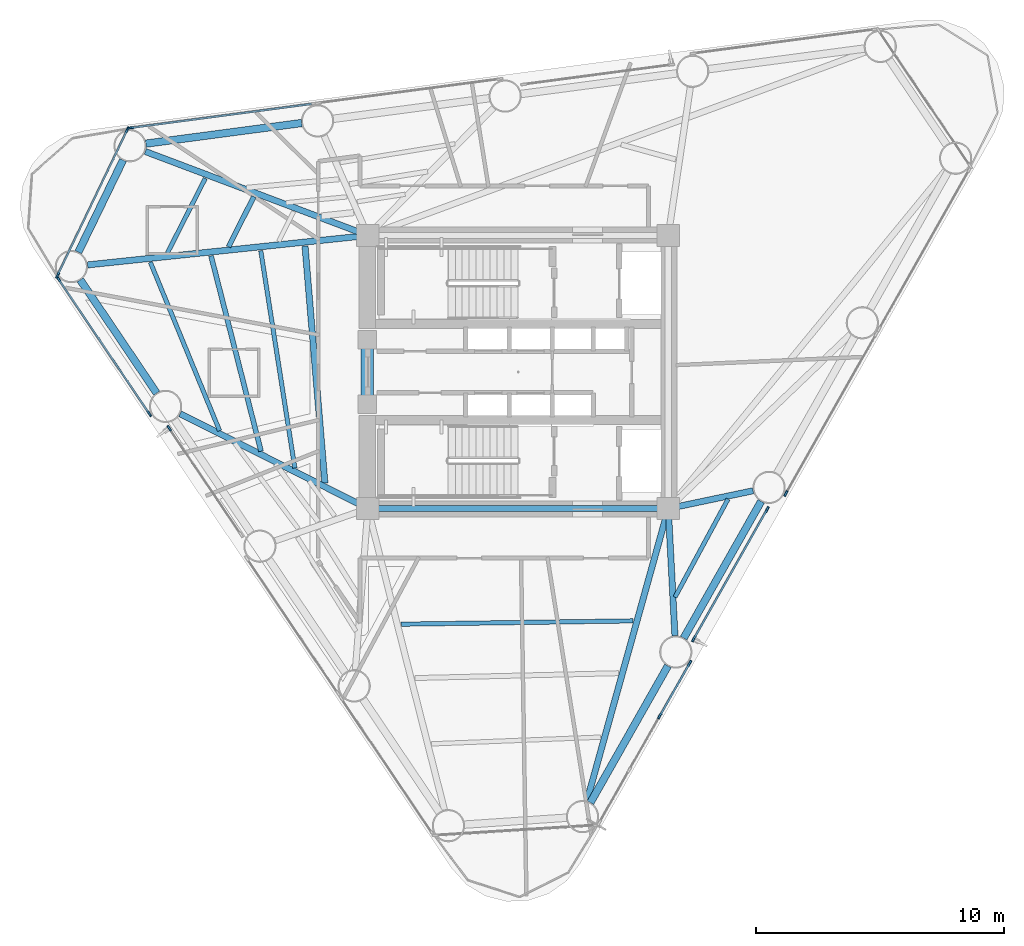
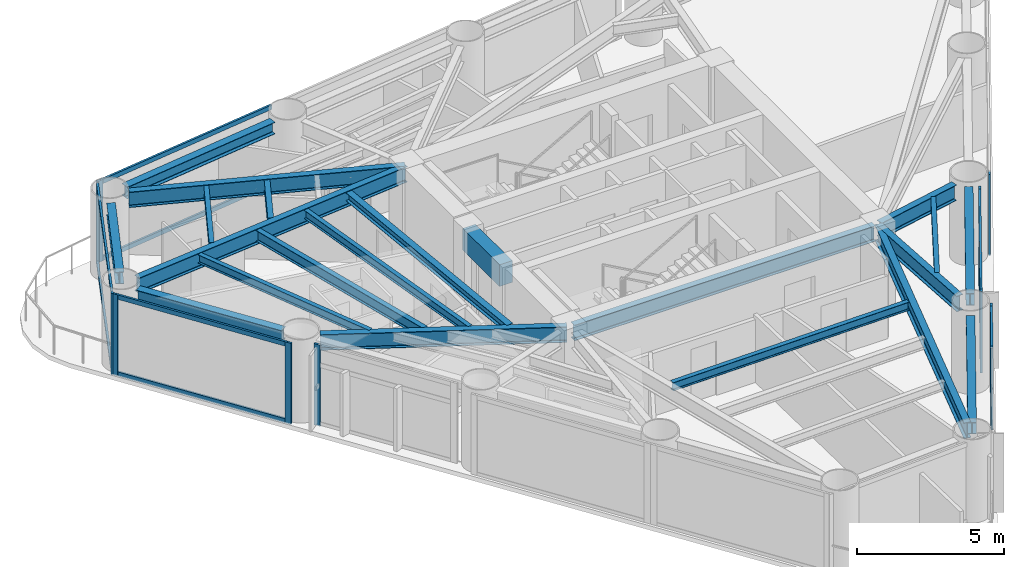
# One storey, part 2 of 10: 23 members, 21 beams, 7 elements without a shape of their own.
"""IFC4 building model written with IfcOpenShell, lengths in metres."""

from ifc_helpers import new_model, si_unit, direction, frame, origin, origin_2d, place, context, subcontext, project, spatial, rectangle, i_section, extrude, source, transform, mapped, material, layer, layer_set, material_profile, profile_set, type_object, element, aggregate, save


model = new_model("IFC4")

# Units and contexts
model_context = context("Model", 3, precision=1e-05, world=origin(), true_north=direction((0.0, 1.0)))
body_context = subcontext(model_context, "Body", "Model", "MODEL_VIEW")
ifc_project = project(units=[si_unit("LENGTHUNIT", "METRE"), si_unit("AREAUNIT", "SQUARE_METRE"), si_unit("VOLUMEUNIT", "CUBIC_METRE"), si_unit("PLANEANGLEUNIT", "RADIAN"), si_unit("MASSUNIT", "GRAM", prefix="KILO")], contexts=[model_context])

# Site, building, storey
site_placement = place(None, origin())
site = spatial("IfcSite", under=ifc_project, at=site_placement, CompositionType="ELEMENT")
building_placement = place(site_placement, origin())
building = spatial("IfcBuilding", under=site, at=building_placement, Name="Yunling Apex Tower", CompositionType="ELEMENT")
storey_placement = place(building_placement, frame((0.0, 0.0, 158.75)))
storey = spatial("IfcBuildingStorey", under=building, at=storey_placement, Name="L38", CompositionType="ELEMENT", Elevation=158.75)

# Beams
ifc_material_1 = material(Name="Concrete C50", Category="concrete")
ifc_material_profile_1 = material_profile(ifc_material_1, rectangle(XDim=0.5, YDim=0.89990234375, at=origin_2d()))
ifc_profile_set_1 = profile_set([ifc_material_profile_1], Name="Concrete C50")
beam_type_1 = type_object("IfcBeamType", Name="BC-CPL-2", PredefinedType="BEAM", material=ifc_profile_set_1)
shared_shape_1 = source(origin(), body_context, "Body", "SweptSolid", [
    extrude(rectangle(XDim=0.5, YDim=0.89990234375, at=origin_2d()), origin(), (0.0, 0.0, 1.0), 2.5),
])
beam_1_placement = place(storey_placement, frame((-6.074951171875, -1.25, 2.820068359375), z_axis=(0.0, 1.0, 0.0), x_axis=(-1.0, 0.0, 0.0)))
element("IfcBeam", 1, at=beam_1_placement, inside=storey, type_object=beam_type_1, Name="L38 Core West Portal Coupling Beam", PredefinedType="BEAM", context=body_context, shape_type="MappedRepresentation", body=[
    mapped(shared_shape_1, transform((0.0, 0.0, 0.0), scale=1.0)),
])
ifc_material_2 = material(Name="Steel Q355B", Category="steel")
ifc_material_profile_2 = material_profile(ifc_material_2, i_section(OverallWidth=0.25, OverallDepth=0.64990234375, WebThickness=0.011962890625, FlangeThickness=0.02001953125, FilletRadius=0.02392578125, at=origin_2d()))
ifc_profile_set_2 = profile_set([ifc_material_profile_2], Name="Steel Q355B")
beam_type_2 = type_object("IfcBeamType", Name="BG-PRI-4", PredefinedType="USERDEFINED", material=ifc_profile_set_2)
shared_shape_2 = source(origin(), body_context, "Body", "SweptSolid", [
    extrude(i_section(OverallWidth=0.25, OverallDepth=0.64990234375, WebThickness=0.011962890625, FlangeThickness=0.02001953125, FilletRadius=0.02392578125, at=origin_2d()), origin(), (0.0, 0.0, 1.0), 11.7998046875),
])
beam_2_placement = place(storey_placement, frame((-5.89990234375, -5.5, 2.945068359375), z_axis=(1.0, 0.0, 0.0), x_axis=(0.0, 1.0, 0.0)))
element("IfcBeam", 2, at=beam_2_placement, inside=storey, type_object=beam_type_2, Name="L38 Core Ring Tie Beam 1", ObjectType="GIRDER", PredefinedType="USERDEFINED", context=body_context, shape_type="MappedRepresentation", body=[
    mapped(shared_shape_2, transform((0.0, 0.0, 0.0), scale=1.0)),
])
ifc_material_profile_3 = material_profile(ifc_material_2, i_section(OverallWidth=0.300048828125, OverallDepth=0.489990234375, WebThickness=0.010986328125, FlangeThickness=0.01806640625, FilletRadius=0.02197265625, at=origin_2d()))
ifc_profile_set_3 = profile_set([ifc_material_profile_3], Name="Steel Q355B")
beam_type_3 = type_object("IfcBeamType", Name="BP-SPN-2", PredefinedType="SPANDREL", material=ifc_profile_set_3)
shared_shape_3 = source(origin(), body_context, "Body", "SweptSolid", [
    extrude(i_section(OverallWidth=0.300048828125, OverallDepth=0.489990234375, WebThickness=0.010986328125, FlangeThickness=0.01806640625, FilletRadius=0.02197265625, at=origin_2d()), origin(), (0.0, 0.0, 1.0), 6.332763671875),
])
beam_3_placement = place(storey_placement, frame((2.912109375, -17.34765625, 3.02490234375), z_axis=(0.493042725972, 0.870005097897, 0.0), x_axis=(-0.870005097897, 0.493042725972, 0.0)))
element("IfcBeam", 3, at=beam_3_placement, inside=storey, type_object=beam_type_3, Name="L38 Perimeter Spandrel Beam 1", PredefinedType="SPANDREL", context=body_context, shape_type="MappedRepresentation", body=[
    mapped(shared_shape_3, transform((0.0, 0.0, 0.0), scale=1.0)),
])
shared_shape_4 = source(origin(), body_context, "Body", "SweptSolid", [
    extrude(i_section(OverallWidth=0.300048828125, OverallDepth=0.489990234375, WebThickness=0.010986328125, FlangeThickness=0.01806640625, FilletRadius=0.02197265625, at=origin_2d()), origin(), (0.0, 0.0, 1.0), 6.33251953125),
])
for number, where, z_axis, x_axis, name in (
    (4, (6.66943359375, -10.717529296875, 3.02490234375), (0.493030081742, 0.870012263418, 0.0), (-0.870012263418, 0.493030081742, 0.0), "L38 Perimeter Spandrel Beam 2"),
    (5, (-8.715576171875, 10.02978515625, 3.02490234375), (-0.991351373324, -0.131234349957, 0.0), (0.131234349957, -0.991351373324, 0.0), "L38 Perimeter Spandrel Beam 9"),
):
    element("IfcBeam", number, at=place(storey_placement, frame(where, z_axis=z_axis, x_axis=x_axis)), inside=storey, type_object=beam_type_3, Name=name, PredefinedType="SPANDREL", context=body_context, shape_type="MappedRepresentation", body=[
        mapped(shared_shape_4, transform((0.0, 0.0, 0.0), scale=1.0)),
    ])
shared_shape_5 = source(origin(), body_context, "Body", "SweptSolid", [
    extrude(i_section(OverallWidth=0.300048828125, OverallDepth=0.489990234375, WebThickness=0.010986328125, FlangeThickness=0.01806640625, FilletRadius=0.02197265625, at=origin_2d()), origin(), (0.0, 0.0, 1.0), 4.1240234375),
])
beam_4_placement = place(storey_placement, frame((-15.9130859375, 8.534912109375, 3.02490234375), z_axis=(-0.436645295051, -0.899633751206, 0.0), x_axis=(0.899633751206, -0.436645295051, 0.0)))
element("IfcBeam", 6, at=beam_4_placement, inside=storey, type_object=beam_type_3, Name="L38 Perimeter Spandrel Beam 10", PredefinedType="SPANDREL", context=body_context, shape_type="MappedRepresentation", body=[
    mapped(shared_shape_5, transform((0.0, 0.0, 0.0), scale=1.0)),
])
shared_shape_6 = source(origin(), body_context, "Body", "SweptSolid", [
    extrude(i_section(OverallWidth=0.300048828125, OverallDepth=0.489990234375, WebThickness=0.010986328125, FlangeThickness=0.01806640625, FilletRadius=0.02197265625, at=origin_2d()), origin(), (0.0, 0.0, 1.0), 5.5029296875),
])
beam_5_placement = place(storey_placement, frame((-17.635009765625, 3.711181640625, 3.02490234375), z_axis=(0.559227477119, -0.829014251286, 0.0), x_axis=(0.829014251286, 0.559227477119, 0.0)))
element("IfcBeam", 7, at=beam_5_placement, inside=storey, type_object=beam_type_3, Name="L38 Perimeter Spandrel Beam 11", PredefinedType="SPANDREL", context=body_context, shape_type="MappedRepresentation", body=[
    mapped(shared_shape_6, transform((0.0, 0.0, 0.0), scale=1.0)),
])
shared_shape_7 = source(origin(), body_context, "Body", "SweptSolid", [
    extrude(i_section(OverallWidth=0.25, OverallDepth=0.64990234375, WebThickness=0.011962890625, FlangeThickness=0.02001953125, FilletRadius=0.02392578125, at=origin_2d()), origin(), (0.0, 0.0, 1.0), 12.141845703125),
])
beam_6_placement = place(storey_placement, frame((2.771240234375, -17.27392578125, 2.945068359375), z_axis=(0.268272262363, 0.9633431337, 0.0), x_axis=(-0.9633431337, 0.268272262363, 0.0)))
element("IfcBeam", 8, at=beam_6_placement, inside=storey, type_object=beam_type_2, Name="L38 Radial Primary Girder R01", ObjectType="GIRDER", PredefinedType="USERDEFINED", context=body_context, shape_type="MappedRepresentation", body=[
    mapped(shared_shape_7, transform((0.0, 0.0, 0.0), scale=1.0)),
])
shared_shape_8 = source(origin(), body_context, "Body", "SweptSolid", [
    extrude(i_section(OverallWidth=0.25, OverallDepth=0.64990234375, WebThickness=0.011962890625, FlangeThickness=0.02001953125, FilletRadius=0.02392578125, at=origin_2d()), origin(), (0.0, 0.0, 1.0), 5.0478515625),
])
beam_7_placement = place(storey_placement, frame((6.317626953125, -10.620849609375, 2.945068359375), z_axis=(-0.052185671931, 0.998637399482, 0.0), x_axis=(-0.998637399482, -0.052185671931, 0.0)))
element("IfcBeam", 9, at=beam_7_placement, inside=storey, type_object=beam_type_2, Name="L38 Radial Primary Girder R02", ObjectType="GIRDER", PredefinedType="USERDEFINED", context=body_context, shape_type="MappedRepresentation", body=[
    mapped(shared_shape_8, transform((0.0, 0.0, 0.0), scale=1.0)),
])
shared_shape_9 = source(origin(), body_context, "Body", "SweptSolid", [
    extrude(i_section(OverallWidth=0.25, OverallDepth=0.64990234375, WebThickness=0.011962890625, FlangeThickness=0.02001953125, FilletRadius=0.02392578125, at=origin_2d()), origin(), (0.0, 0.0, 1.0), 3.409423828125),
])
beam_8_placement = place(storey_placement, frame((9.465087890625, -4.783203125, 2.945068359375), z_axis=(-0.978668904593, -0.205443849219, 0.0), x_axis=(0.205443849219, -0.978668904593, 0.0)))
element("IfcBeam", 10, at=beam_8_placement, inside=storey, type_object=beam_type_2, Name="L38 Radial Primary Girder R03", ObjectType="GIRDER", PredefinedType="USERDEFINED", context=body_context, shape_type="MappedRepresentation", body=[
    mapped(shared_shape_9, transform((0.0, 0.0, 0.0), scale=1.0)),
])
shared_shape_10 = source(origin(), body_context, "Body", "SweptSolid", [
    extrude(i_section(OverallWidth=0.25, OverallDepth=0.64990234375, WebThickness=0.011962890625, FlangeThickness=0.02001953125, FilletRadius=0.02392578125, at=origin_2d()), origin(), (0.0, 0.0, 1.0), 9.502685546875),
])
beam_9_placement = place(storey_placement, frame((-15.01611328125, 8.882080078125, 2.945068359375), z_axis=(0.935649587533, -0.352930374648, 0.0), x_axis=(0.352930374648, 0.935649587533, 0.0)))
element("IfcBeam", 11, at=beam_9_placement, inside=storey, type_object=beam_type_2, Name="L38 Radial Primary Girder R10", ObjectType="GIRDER", PredefinedType="USERDEFINED", context=body_context, shape_type="MappedRepresentation", body=[
    mapped(shared_shape_10, transform((0.0, 0.0, 0.0), scale=1.0)),
])
shared_shape_11 = source(origin(), body_context, "Body", "SweptSolid", [
    extrude(i_section(OverallWidth=0.25, OverallDepth=0.64990234375, WebThickness=0.011962890625, FlangeThickness=0.02001953125, FilletRadius=0.02392578125, at=origin_2d()), origin(), (0.0, 0.0, 1.0), 11.272705078125),
])
beam_10_placement = place(storey_placement, frame((-17.340576171875, 4.31396484375, 2.945068359375), z_axis=(0.99452726712, 0.104477341825, 0.0), x_axis=(-0.104477341825, 0.99452726712, 0.0)))
element("IfcBeam", 12, at=beam_10_placement, inside=storey, type_object=beam_type_2, Name="L38 Radial Primary Girder R11", ObjectType="GIRDER", PredefinedType="USERDEFINED", context=body_context, shape_type="MappedRepresentation", body=[
    mapped(shared_shape_11, transform((0.0, 0.0, 0.0), scale=1.0)),
])
shared_shape_12 = source(origin(), body_context, "Body", "SweptSolid", [
    extrude(i_section(OverallWidth=0.25, OverallDepth=0.64990234375, WebThickness=0.011962890625, FlangeThickness=0.02001953125, FilletRadius=0.02392578125, at=origin_2d()), origin(), (0.0, 0.0, 1.0), 8.389892578125),
])
beam_11_placement = place(storey_placement, frame((-13.610107421875, -1.681396484375, 2.945068359375), z_axis=(0.892603997322, -0.450841550841, 0.0), x_axis=(0.450841550841, 0.892603997322, 0.0)))
element("IfcBeam", 13, at=beam_11_placement, inside=storey, type_object=beam_type_2, Name="L38 Radial Primary Girder R12", ObjectType="GIRDER", PredefinedType="USERDEFINED", context=body_context, shape_type="MappedRepresentation", body=[
    mapped(shared_shape_12, transform((0.0, 0.0, 0.0), scale=1.0)),
])
ifc_material_profile_4 = material_profile(ifc_material_2, i_section(OverallWidth=0.175048828125, OverallDepth=0.35009765625, WebThickness=0.007080078125, FlangeThickness=0.010986328125, FilletRadius=0.013916015625, at=origin_2d()))
ifc_profile_set_4 = profile_set([ifc_material_profile_4], Name="Steel Q355B")
beam_type_4 = type_object("IfcBeamType", Name="BJ-JST-1", PredefinedType="JOIST", material=ifc_profile_set_4)
shared_shape_13 = source(origin(), body_context, "Body", "SweptSolid", [
    extrude(i_section(OverallWidth=0.175048828125, OverallDepth=0.35009765625, WebThickness=0.007080078125, FlangeThickness=0.010986328125, FilletRadius=0.013916015625, at=origin_2d()), origin(), (0.0, 0.0, 1.0), 4.488525390625),
])
beam_12_placement = place(storey_placement, frame((6.31982421875, -9.068603515625, 3.094970703125), z_axis=(0.475594391265, 0.87966469464, 0.0), x_axis=(-0.87966469464, 0.475594391265, 0.0)))
element("IfcBeam", 14, at=beam_12_placement, inside=storey, type_object=beam_type_4, Name="L38 Composite Floor Joist BJ1-2", PredefinedType="JOIST", context=body_context, shape_type="MappedRepresentation", body=[
    mapped(shared_shape_13, transform((0.0, 0.0, 0.0), scale=1.0)),
])
ifc_material_profile_5 = material_profile(ifc_material_2, i_section(OverallWidth=0.199951171875, OverallDepth=0.449951171875, WebThickness=0.009033203125, FlangeThickness=0.013916015625, FilletRadius=0.01806640625, at=origin_2d()))
ifc_profile_set_5 = profile_set([ifc_material_profile_5], Name="Steel Q355B")
beam_type_5 = type_object("IfcBeamType", Name="BS-SEC-3", PredefinedType="BEAM", material=ifc_profile_set_5)
shared_shape_14 = source(origin(), body_context, "Body", "SweptSolid", [
    extrude(i_section(OverallWidth=0.199951171875, OverallDepth=0.449951171875, WebThickness=0.009033203125, FlangeThickness=0.013916015625, FilletRadius=0.01806640625, at=origin_2d()), origin(), (0.0, 0.0, 1.0), 2.260498046875),
])
beam_13_placement = place(storey_placement, frame((-10.642578125, 7.0625, 3.044921875), z_axis=(-0.451356210078, -0.892343864003, 0.0), x_axis=(0.892343864003, -0.451356210078, 0.0)))
element("IfcBeam", 15, at=beam_13_placement, inside=storey, type_object=beam_type_5, Name="L38 Composite Floor Beam BS-10", PredefinedType="BEAM", context=body_context, shape_type="MappedRepresentation", body=[
    mapped(shared_shape_14, transform((0.0, 0.0, 0.0), scale=1.0)),
])
shared_shape_15 = source(origin(), body_context, "Body", "SweptSolid", [
    extrude(i_section(OverallWidth=0.175048828125, OverallDepth=0.35009765625, WebThickness=0.007080078125, FlangeThickness=0.010986328125, FilletRadius=0.013916015625, at=origin_2d()), origin(), (0.0, 0.0, 1.0), 3.380126953125),
])
beam_14_placement = place(storey_placement, frame((-12.59912109375, 7.80029296875, 3.094970703125), z_axis=(-0.452665854376, -0.891680225351, 0.0), x_axis=(0.891680225351, -0.452665854376, 0.0)))
element("IfcBeam", 16, at=beam_14_placement, inside=storey, type_object=beam_type_4, Name="L38 Composite Floor Joist BJ1-10", PredefinedType="JOIST", context=body_context, shape_type="MappedRepresentation", body=[
    mapped(shared_shape_15, transform((0.0, 0.0, 0.0), scale=1.0)),
])
shared_shape_16 = source(origin(), body_context, "Body", "SweptSolid", [
    extrude(i_section(OverallWidth=0.199951171875, OverallDepth=0.449951171875, WebThickness=0.009033203125, FlangeThickness=0.013916015625, FilletRadius=0.01806640625, at=origin_2d()), origin(), (0.0, 0.0, 1.0), 8.121337890625),
])
beam_15_placement = place(storey_placement, frame((-12.3681640625, 4.677001953125, 3.044921875), z_axis=(0.247914612688, -0.968781887122, 0.0), x_axis=(0.968781887122, 0.247914612688, 0.0)))
element("IfcBeam", 17, at=beam_15_placement, inside=storey, type_object=beam_type_5, Name="L38 Composite Floor Beam BS-11", PredefinedType="BEAM", context=body_context, shape_type="MappedRepresentation", body=[
    mapped(shared_shape_16, transform((0.0, 0.0, 0.0), scale=1.0)),
])
shared_shape_17 = source(origin(), body_context, "Body", "SweptSolid", [
    extrude(i_section(OverallWidth=0.175048828125, OverallDepth=0.35009765625, WebThickness=0.007080078125, FlangeThickness=0.010986328125, FilletRadius=0.013916015625, at=origin_2d()), origin(), (0.0, 0.0, 1.0), 7.34130859375),
])
beam_16_placement = place(storey_placement, frame((-14.8134765625, 4.425048828125, 3.094970703125), z_axis=(0.380043851262, -0.924968470337, 0.0), x_axis=(0.924968470337, 0.380043851262, 0.0)))
element("IfcBeam", 18, at=beam_16_placement, inside=storey, type_object=beam_type_4, Name="L38 Composite Floor Joist BJ1-11", PredefinedType="JOIST", context=body_context, shape_type="MappedRepresentation", body=[
    mapped(shared_shape_17, transform((0.0, 0.0, 0.0), scale=1.0)),
])
shared_shape_18 = source(origin(), body_context, "Body", "SweptSolid", [
    extrude(i_section(OverallWidth=0.175048828125, OverallDepth=0.35009765625, WebThickness=0.007080078125, FlangeThickness=0.010986328125, FilletRadius=0.013916015625, at=origin_2d()), origin(), (0.0, 0.0, 1.0), 8.861328125),
])
beam_17_placement = place(storey_placement, frame((-10.364990234375, 4.885986328125, 3.094970703125), z_axis=(0.154946679134, -0.987922834348, 0.0), x_axis=(0.987922834348, 0.154946679134, 0.0)))
element("IfcBeam", 19, at=beam_17_placement, inside=storey, type_object=beam_type_4, Name="L38 Composite Floor Joist BJ3-11", PredefinedType="JOIST", context=body_context, shape_type="MappedRepresentation", body=[
    mapped(shared_shape_18, transform((0.0, 0.0, 0.0), scale=1.0)),
])
ifc_material_profile_6 = material_profile(ifc_material_2, i_section(OverallWidth=0.25, OverallDepth=0.340087890625, WebThickness=0.009033203125, FlangeThickness=0.013916015625, FilletRadius=0.01806640625, at=origin_2d()))
ifc_profile_set_6 = profile_set([ifc_material_profile_6], Name="Steel Q355B")
beam_type_6 = type_object("IfcBeamType", Name="BJ-JST-2", PredefinedType="JOIST", material=ifc_profile_set_6)
shared_shape_19 = source(origin(), body_context, "Body", "SweptSolid", [
    extrude(i_section(OverallWidth=0.25, OverallDepth=0.340087890625, WebThickness=0.009033203125, FlangeThickness=0.013916015625, FilletRadius=0.01806640625, at=origin_2d()), origin(), (0.0, 0.0, 1.0), 9.578857421875),
])
beam_18_placement = place(storey_placement, frame((-8.582763671875, 5.072998046875, 3.10009765625), z_axis=(0.083572791263, -0.996501675142, 0.0), x_axis=(0.996501675142, 0.083572791263, 0.0)))
element("IfcBeam", 20, at=beam_18_placement, inside=storey, type_object=beam_type_6, Name="L38 Composite Floor Joist BJ2-11", PredefinedType="JOIST", context=body_context, shape_type="MappedRepresentation", body=[
    mapped(shared_shape_19, transform((0.0, 0.0, 0.0), scale=1.0)),
])
shared_shape_20 = source(origin(), body_context, "Body", "SweptSolid", [
    extrude(i_section(OverallWidth=0.175048828125, OverallDepth=0.35009765625, WebThickness=0.007080078125, FlangeThickness=0.010986328125, FilletRadius=0.013916015625, at=origin_2d()), origin(), (0.0, 0.0, 1.0), 9.337890625),
])
beam_19_placement = place(storey_placement, frame((-4.706298828125, -10.157958984375, 3.094970703125), z_axis=(0.99989735504, 0.014327574275, 0.0), x_axis=(-0.014327574275, 0.99989735504, 0.0)))
element("IfcBeam", 21, at=beam_19_placement, inside=storey, type_object=beam_type_4, Name="L38 Composite Floor Joist BJ3-15", PredefinedType="JOIST", context=body_context, shape_type="MappedRepresentation", body=[
    mapped(shared_shape_20, transform((0.0, 0.0, 0.0), scale=1.0)),
])

# Curtain wall, members
ifc_material_3 = material(Name="Bronze anodised aluminium", Category="aluminium")
ifc_layer = layer(ifc_material_3, 0.239990234375)
ifc_layer_set = layer_set([ifc_layer], Name="Bronze anodised aluminium")
curtain_wall_type = type_object("IfcCurtainWallType", Name="CW-SYS-3", PredefinedType="NOTDEFINED", material=ifc_layer_set)
curtain_wall_1_placement = place(storey_placement, origin())
curtain_wall_1 = element("IfcCurtainWall", 22, at=curtain_wall_1_placement, inside=storey, type_object=curtain_wall_type, Name="CW-L38-F1-B1", PredefinedType="NOTDEFINED")
ifc_material_profile_7 = material_profile(ifc_material_3, rectangle(XDim=0.080078125, YDim=0.239990234375, at=origin_2d()))
ifc_profile_set_7 = profile_set([ifc_material_profile_7], Name="Bronze anodised aluminium")
member_type_1 = type_object("IfcMemberType", Name="CW-MUL-3", PredefinedType="MULLION", material=ifc_profile_set_7)
shared_shape_21 = source(origin(), body_context, "Body", "SweptSolid", [
    extrude(rectangle(XDim=0.080078125, YDim=0.239990234375, at=origin_2d()), origin(), (0.0, 0.0, 1.0), 3.3701171875),
])
member_1_placement = place(storey_placement, frame((5.7041015625, -13.861083984375, -0.050048828125), z_axis=(0.0, 0.0, 1.0), x_axis=(-0.870006087438, 0.493040979859, 0.0)))
member_1 = element("IfcMember", 23, at=member_1_placement, type_object=member_type_1, Name="CW-SYS-3 mullion 3", PredefinedType="MULLION", context=body_context, shape_type="MappedRepresentation", body=[
    mapped(shared_shape_21, transform((0.0, 0.0, 0.0), scale=1.0)),
])
member_2_placement = place(storey_placement, frame((6.910400390625, -11.732421875, -0.050048828125), z_axis=(0.0, 0.0, 1.0), x_axis=(-0.870006087438, 0.493040979859, 0.0)))
member_2 = element("IfcMember", 24, at=member_2_placement, type_object=member_type_1, Name="CW-SYS-3 mullion 4", PredefinedType="MULLION", context=body_context, shape_type="MappedRepresentation", body=[
    mapped(shared_shape_21, transform((0.0, 0.0, 0.0), scale=1.0)),
])

curtain_wall_2_placement = place(storey_placement, origin())
curtain_wall_2 = element("IfcCurtainWall", 25, at=curtain_wall_2_placement, inside=storey, type_object=curtain_wall_type, Name="CW-L38-F1-B2", PredefinedType="NOTDEFINED")
member_3_placement = place(storey_placement, frame((7.0732421875, -10.755615234375, -0.050048828125), z_axis=(0.0, 0.0, 1.0), x_axis=(-0.87000266867, 0.493047012471, 0.0)))
member_3 = element("IfcMember", 26, at=member_3_placement, type_object=member_type_1, Name="CW-SYS-3 mullion 1", PredefinedType="MULLION", context=body_context, shape_type="MappedRepresentation", body=[
    mapped(shared_shape_21, transform((0.0, 0.0, 0.0), scale=1.0)),
])
member_4_placement = place(storey_placement, frame((10.03173828125, -5.53515625, -0.050048828125), z_axis=(0.0, 0.0, 1.0), x_axis=(-0.87000266867, 0.493047012471, 0.0)))
member_4 = element("IfcMember", 27, at=member_4_placement, type_object=member_type_1, Name="CW-SYS-3 mullion 2", PredefinedType="MULLION", context=body_context, shape_type="MappedRepresentation", body=[
    mapped(shared_shape_21, transform((0.0, 0.0, 0.0), scale=1.0)),
])

# Curtain wall, member
curtain_wall_3_placement = place(storey_placement, origin())
curtain_wall_3 = element("IfcCurtainWall", 28, at=curtain_wall_3_placement, inside=storey, type_object=curtain_wall_type, Name="CW-L38-F1-B3", PredefinedType="NOTDEFINED")
member_5_placement = place(storey_placement, frame((10.785888671875, -4.8935546875, -0.050048828125), z_axis=(0.0, 0.0, 1.0), x_axis=(-0.870009345679, 0.493035230416, 0.0)))
member_5 = element("IfcMember", 29, at=member_5_placement, type_object=member_type_1, Name="CW-SYS-3 mullion 1", PredefinedType="MULLION", context=body_context, shape_type="MappedRepresentation", body=[
    mapped(shared_shape_21, transform((0.0, 0.0, 0.0), scale=1.0)),
])
aggregate(curtain_wall_3, [member_5])

curtain_wall_4_placement = place(storey_placement, origin())
curtain_wall_4 = element("IfcCurtainWall", 30, at=curtain_wall_4_placement, inside=storey, type_object=curtain_wall_type, Name="CW-L38-F2-B4", PredefinedType="NOTDEFINED")
member_6_placement = place(storey_placement, frame((-15.60595703125, 9.833740234375, -0.050048828125), z_axis=(0.0, 0.0, 1.0), x_axis=(0.131222473138, -0.991352945496, 0.0)))
member_6 = element("IfcMember", 31, at=member_6_placement, type_object=member_type_1, Name="CW-SYS-3 mullion 2", PredefinedType="MULLION", context=body_context, shape_type="MappedRepresentation", body=[
    mapped(shared_shape_21, transform((0.0, 0.0, 0.0), scale=1.0)),
])

# Curtain wall, members
curtain_wall_5_placement = place(storey_placement, origin())
curtain_wall_5 = element("IfcCurtainWall", 32, at=curtain_wall_5_placement, inside=storey, type_object=curtain_wall_type, Name="CW-L38-CRN2", PredefinedType="NOTDEFINED")
member_7_placement = place(storey_placement, frame((-15.73974609375, 9.76220703125, -0.050048828125), z_axis=(0.0, 0.0, 1.0), x_axis=(0.901876554496, -0.431993843071, 0.0)))
member_7 = element("IfcMember", 33, at=member_7_placement, type_object=member_type_1, Name="CW-SYS-3 mullion 1", PredefinedType="MULLION", context=body_context, shape_type="MappedRepresentation", body=[
    mapped(shared_shape_21, transform((0.0, 0.0, 0.0), scale=1.0)),
])
member_8_placement = place(storey_placement, frame((-18.5498046875, 3.8955078125, -0.050048828125), z_axis=(0.0, 0.0, 1.0), x_axis=(0.901876554496, -0.431993843071, 0.0)))
member_8 = element("IfcMember", 34, at=member_8_placement, type_object=member_type_1, Name="CW-SYS-3 mullion 2", PredefinedType="MULLION", context=body_context, shape_type="MappedRepresentation", body=[
    mapped(shared_shape_21, transform((0.0, 0.0, 0.0), scale=1.0)),
])

curtain_wall_6_placement = place(storey_placement, origin())
curtain_wall_6 = element("IfcCurtainWall", 35, at=curtain_wall_6_placement, inside=storey, type_object=curtain_wall_type, Name="CW-L38-F3-B1", PredefinedType="NOTDEFINED")
member_9_placement = place(storey_placement, frame((-18.5166015625, 3.748779296875, -0.050048828125), z_axis=(0.0, 0.0, 1.0), x_axis=(0.829045302692, 0.559181442901, 0.0)))
member_9 = element("IfcMember", 36, at=member_9_placement, type_object=member_type_1, Name="CW-SYS-3 mullion 1", PredefinedType="MULLION", context=body_context, shape_type="MappedRepresentation", body=[
    mapped(shared_shape_21, transform((0.0, 0.0, 0.0), scale=1.0)),
])
member_10_placement = place(storey_placement, frame((-14.853271484375, -1.682373046875, -0.050048828125), z_axis=(0.0, 0.0, 1.0), x_axis=(0.829045302692, 0.559181442901, 0.0)))
member_10 = element("IfcMember", 37, at=member_10_placement, type_object=member_type_1, Name="CW-SYS-3 mullion 2", PredefinedType="MULLION", context=body_context, shape_type="MappedRepresentation", body=[
    mapped(shared_shape_21, transform((0.0, 0.0, 0.0), scale=1.0)),
])

# Curtain wall, member
curtain_wall_7_placement = place(storey_placement, origin())
curtain_wall_7 = element("IfcCurtainWall", 38, at=curtain_wall_7_placement, inside=storey, type_object=curtain_wall_type, Name="CW-L38-F3-B2", PredefinedType="NOTDEFINED")
member_11_placement = place(storey_placement, frame((-14.05126953125, -2.263427734375, -0.050048828125), z_axis=(0.0, 0.0, 1.0), x_axis=(0.829026137089, 0.559209856873, 0.0)))
member_11 = element("IfcMember", 39, at=member_11_placement, type_object=member_type_1, Name="CW-SYS-3 mullion 1", PredefinedType="MULLION", context=body_context, shape_type="MappedRepresentation", body=[
    mapped(shared_shape_21, transform((0.0, 0.0, 0.0), scale=1.0)),
])
aggregate(curtain_wall_7, [member_11])

# Member
ifc_material_profile_8 = material_profile(ifc_material_3, rectangle(XDim=0.080078125, YDim=0.18505859375, at=origin_2d()))
ifc_profile_set_8 = profile_set([ifc_material_profile_8], Name="Bronze anodised aluminium")
member_type_2 = type_object("IfcMemberType", Name="CW-TRN-3", PredefinedType="USERDEFINED", material=ifc_profile_set_8)
shared_shape_22 = source(origin(), body_context, "Body", "SweptSolid", [
    extrude(rectangle(XDim=0.080078125, YDim=0.18505859375, at=origin_2d()), origin(), (0.0, 0.0, 1.0), 2.374755859375),
])
member_12_placement = place(storey_placement, frame((5.721923828125, -13.829833984375, 0.0400390625), z_axis=(0.493035916127, 0.870008957085, 0.0), x_axis=(-0.870008957085, 0.493035916127, 0.0)))
member_12 = element("IfcMember", 40, at=member_12_placement, type_object=member_type_2, Name="CW-SYS-3 transom 3.1", ObjectType="TRANSOM", PredefinedType="USERDEFINED", context=body_context, shape_type="MappedRepresentation", body=[
    mapped(shared_shape_22, transform((0.0, 0.0, 0.0), scale=1.0)),
])

member_13_placement = place(storey_placement, frame((5.721923828125, -13.829833984375, 2.485107421875), z_axis=(0.493035916127, 0.870008957085, 0.0), x_axis=(-0.870008957085, 0.493035916127, 0.0)))
member_13 = element("IfcMember", 41, at=member_13_placement, type_object=member_type_2, Name="CW-SYS-3 transom 3.2", ObjectType="TRANSOM", PredefinedType="USERDEFINED", context=body_context, shape_type="MappedRepresentation", body=[
    mapped(shared_shape_22, transform((0.0, 0.0, 0.0), scale=1.0)),
])

member_14_placement = place(storey_placement, frame((5.721923828125, -13.829833984375, 3.22998046875), z_axis=(0.493035916127, 0.870008957085, 0.0), x_axis=(-0.870008957085, 0.493035916127, 0.0)))
member_14 = element("IfcMember", 42, at=member_14_placement, type_object=member_type_2, Name="CW-SYS-3 transom 3.3", ObjectType="TRANSOM", PredefinedType="USERDEFINED", context=body_context, shape_type="MappedRepresentation", body=[
    mapped(shared_shape_22, transform((0.0, 0.0, 0.0), scale=1.0)),
])

aggregate(curtain_wall_1, [member_1, member_2, member_12, member_13, member_14])

shared_shape_23 = source(origin(), body_context, "Body", "SweptSolid", [
    extrude(rectangle(XDim=0.080078125, YDim=0.18505859375, at=origin_2d()), origin(), (0.0, 0.0, 1.0), 5.9287109375),
])
member_15_placement = place(storey_placement, frame((7.0908203125, -10.724365234375, 0.0400390625), z_axis=(0.49304478118, 0.870003933182, 0.0), x_axis=(-0.870003933182, 0.49304478118, 0.0)))
member_15 = element("IfcMember", 43, at=member_15_placement, type_object=member_type_2, Name="CW-SYS-3 transom 1.1", ObjectType="TRANSOM", PredefinedType="USERDEFINED", context=body_context, shape_type="MappedRepresentation", body=[
    mapped(shared_shape_23, transform((0.0, 0.0, 0.0), scale=1.0)),
])

member_16_placement = place(storey_placement, frame((7.0908203125, -10.724365234375, 2.485107421875), z_axis=(0.49304478118, 0.870003933182, 0.0), x_axis=(-0.870003933182, 0.49304478118, 0.0)))
member_16 = element("IfcMember", 44, at=member_16_placement, type_object=member_type_2, Name="CW-SYS-3 transom 1.2", ObjectType="TRANSOM", PredefinedType="USERDEFINED", context=body_context, shape_type="MappedRepresentation", body=[
    mapped(shared_shape_23, transform((0.0, 0.0, 0.0), scale=1.0)),
])

member_17_placement = place(storey_placement, frame((7.0908203125, -10.724365234375, 3.22998046875), z_axis=(0.49304478118, 0.870003933182, 0.0), x_axis=(-0.870003933182, 0.49304478118, 0.0)))
member_17 = element("IfcMember", 45, at=member_17_placement, type_object=member_type_2, Name="CW-SYS-3 transom 1.3", ObjectType="TRANSOM", PredefinedType="USERDEFINED", context=body_context, shape_type="MappedRepresentation", body=[
    mapped(shared_shape_23, transform((0.0, 0.0, 0.0), scale=1.0)),
])

aggregate(curtain_wall_2, [member_3, member_4, member_15, member_16, member_17])

shared_shape_24 = source(origin(), body_context, "Body", "SweptSolid", [
    extrude(rectangle(XDim=0.080078125, YDim=0.18505859375, at=origin_2d()), origin(), (0.0, 0.0, 1.0), 7.30859375),
])
member_18_placement = place(storey_placement, frame((-8.324951171875, 10.797607421875, 0.0400390625), z_axis=(-0.991354063091, -0.131214029714, 0.0), x_axis=(0.131214029714, -0.991354063091, 0.0)))
member_18 = element("IfcMember", 46, at=member_18_placement, type_object=member_type_2, Name="CW-SYS-3 transom 1.1", ObjectType="TRANSOM", PredefinedType="USERDEFINED", context=body_context, shape_type="MappedRepresentation", body=[
    mapped(shared_shape_24, transform((0.0, 0.0, 0.0), scale=1.0)),
])

member_19_placement = place(storey_placement, frame((-8.324951171875, 10.797607421875, 3.22998046875), z_axis=(-0.991354063091, -0.131214029714, 0.0), x_axis=(0.131214029714, -0.991354063091, 0.0)))
member_19 = element("IfcMember", 47, at=member_19_placement, type_object=member_type_2, Name="CW-SYS-3 transom 1.2", ObjectType="TRANSOM", PredefinedType="USERDEFINED", context=body_context, shape_type="MappedRepresentation", body=[
    mapped(shared_shape_24, transform((0.0, 0.0, 0.0), scale=1.0)),
])

aggregate(curtain_wall_4, [member_6, member_18, member_19])

shared_shape_25 = source(origin(), body_context, "Body", "SweptSolid", [
    extrude(rectangle(XDim=0.080078125, YDim=0.18505859375, at=origin_2d()), origin(), (0.0, 0.0, 1.0), 6.43310546875),
])
member_20_placement = place(storey_placement, frame((-15.755126953125, 9.729736328125, 0.0400390625), z_axis=(-0.431999289768, -0.901873945538, 0.0), x_axis=(0.901873945538, -0.431999289768, 0.0)))
member_20 = element("IfcMember", 48, at=member_20_placement, type_object=member_type_2, Name="CW-SYS-3 transom 1.1", ObjectType="TRANSOM", PredefinedType="USERDEFINED", context=body_context, shape_type="MappedRepresentation", body=[
    mapped(shared_shape_25, transform((0.0, 0.0, 0.0), scale=1.0)),
])

member_21_placement = place(storey_placement, frame((-15.755126953125, 9.729736328125, 3.22998046875), z_axis=(-0.431999289768, -0.901873945538, 0.0), x_axis=(0.901873945538, -0.431999289768, 0.0)))
member_21 = element("IfcMember", 49, at=member_21_placement, type_object=member_type_2, Name="CW-SYS-3 transom 1.2", ObjectType="TRANSOM", PredefinedType="USERDEFINED", context=body_context, shape_type="MappedRepresentation", body=[
    mapped(shared_shape_25, transform((0.0, 0.0, 0.0), scale=1.0)),
])

aggregate(curtain_wall_5, [member_7, member_8, member_20, member_21])

shared_shape_26 = source(origin(), body_context, "Body", "SweptSolid", [
    extrude(rectangle(XDim=0.080078125, YDim=0.18505859375, at=origin_2d()), origin(), (0.0, 0.0, 1.0), 6.479248046875),
])
member_22_placement = place(storey_placement, frame((-18.496337890625, 3.718994140625, 0.0400390625), z_axis=(0.559179012054, -0.829046942265, 0.0), x_axis=(0.829046942265, 0.559179012054, 0.0)))
member_22 = element("IfcMember", 50, at=member_22_placement, type_object=member_type_2, Name="CW-SYS-3 transom 1.1", ObjectType="TRANSOM", PredefinedType="USERDEFINED", context=body_context, shape_type="MappedRepresentation", body=[
    mapped(shared_shape_26, transform((0.0, 0.0, 0.0), scale=1.0)),
])

member_23_placement = place(storey_placement, frame((-18.496337890625, 3.718994140625, 3.22998046875), z_axis=(0.559179012054, -0.829046942265, 0.0), x_axis=(0.829046942265, 0.559179012054, 0.0)))
member_23 = element("IfcMember", 51, at=member_23_placement, type_object=member_type_2, Name="CW-SYS-3 transom 1.2", ObjectType="TRANSOM", PredefinedType="USERDEFINED", context=body_context, shape_type="MappedRepresentation", body=[
    mapped(shared_shape_26, transform((0.0, 0.0, 0.0), scale=1.0)),
])

aggregate(curtain_wall_6, [member_9, member_10, member_22, member_23])

save(model, "model.ifc")
